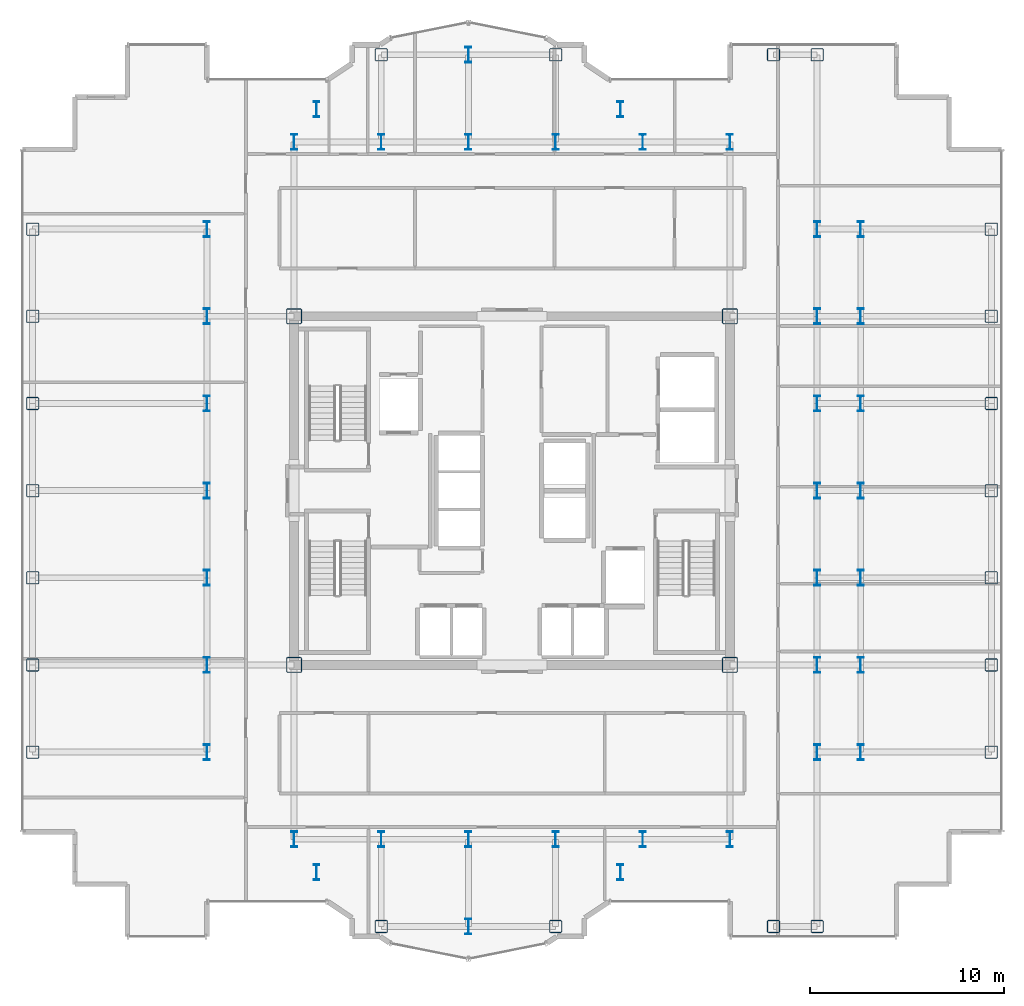
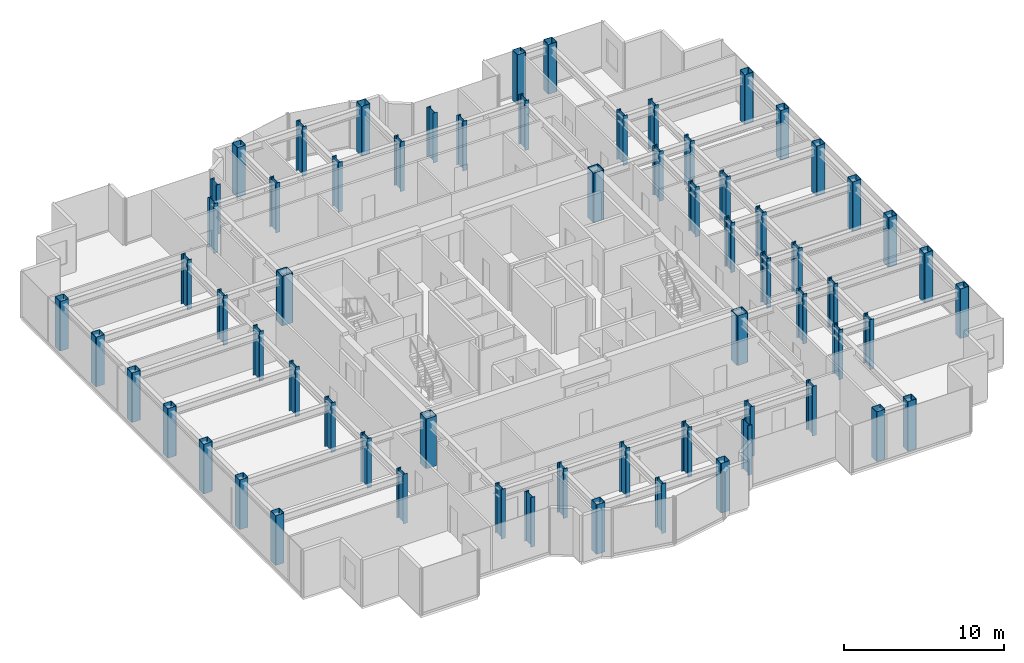
# One storey, part 1 of 20: 65 columns.
"""IFC4 building model written with IfcOpenShell, lengths in metres."""

import ifcopenshell
import ifcopenshell.guid

model = None  # the IFC model being written
_history = None  # IfcOwnerHistory: only IFC2X3 demands one
_inside = {}  # id of a spatial element -> (the spatial element, [elements in it])
_under = {}  # id of a project, library or spatial element -> (it, [spatial elements below it])
_declared = {}  # id of a project -> (the project, [libraries it declares])
_typed = {}  # id of a type object -> (the type object, [elements of that type])
_made_of = {}  # id of a material, layer set ... -> (it, [elements and type objects made of it])


def new_model(schema):
    """Start an empty IFC model of exactly this schema.

    Asked for "IFC4X3", IfcOpenShell would pick the latest addendum, in which some entities
    have other attributes; the version numbers below select the first issue.
    IFC2X3 requires an IfcOwnerHistory on every rooted entity: one is made here for all.
    """
    global model, _history
    if schema == "IFC4X3":
        model = ifcopenshell.file(schema_version=(4, 3, 0, 0))
    else:
        model = ifcopenshell.file(schema=schema)
    _inside.clear()
    _under.clear()
    _declared.clear()
    _typed.clear()
    _made_of.clear()
    _history = None
    if model.schema == "IFC2X3":
        org = make("IfcOrganization", Name="unknown")
        user = make(
            "IfcPersonAndOrganization",
            ThePerson=make("IfcPerson", FamilyName="unknown"),
            TheOrganization=org,
        )
        app = make(
            "IfcApplication",
            ApplicationDeveloper=org,
            Version="unknown",
            ApplicationFullName="unknown",
            ApplicationIdentifier="unknown",
        )
        _history = make(
            "IfcOwnerHistory",
            OwningUser=user,
            OwningApplication=app,
            ChangeAction="ADDED",
            CreationDate=0,
        )
    return model


def make(cls, **values):
    """One entity of the class cls with the attributes given. An attribute that is None is left unset."""
    return model.create_entity(
        cls, **{name: value for name, value in values.items() if value is not None}
    )


def rooted(cls, **values):
    """An entity with a GlobalId (a new one), such as an element, a storey or a relation."""
    return make(cls, GlobalId=ifcopenshell.guid.new(), OwnerHistory=_history, **values)


def si_unit(unit_type, name, prefix=None):
    """IfcSIUnit, for example si_unit("LENGTHUNIT", "METRE", prefix="MILLI")."""
    return make("IfcSIUnit", UnitType=unit_type, Prefix=prefix, Name=name)


def assignment(units):
    """IfcUnitAssignment: the units of a project."""
    return None if units is None else make("IfcUnitAssignment", Units=units)


def point(xyz):
    """IfcCartesianPoint."""
    return None if xyz is None else make("IfcCartesianPoint", Coordinates=xyz)


def direction(xyz):
    """IfcDirection."""
    return None if xyz is None else make("IfcDirection", DirectionRatios=xyz)


def frame(location, z_axis=None, x_axis=None):
    """IfcAxis2Placement3D, a coordinate frame: its origin and axes. An axis left out is left unset."""
    return make(
        "IfcAxis2Placement3D",
        Location=point(location),
        Axis=direction(z_axis),
        RefDirection=direction(x_axis),
    )


def frame_2d(location, x_axis=None):
    """IfcAxis2Placement2D, a coordinate frame in the plane: its origin and x axis."""
    return make(
        "IfcAxis2Placement2D", Location=point(location), RefDirection=direction(x_axis)
    )


def origin():
    """The frame at (0, 0, 0) with its axes left unset."""
    return frame((0.0, 0.0, 0.0))


def origin_2d():
    """The frame at (0, 0) in the plane with its x axis left unset."""
    return frame_2d((0.0, 0.0))


def place(relative_to, where):
    """IfcLocalPlacement: puts the frame where relative to a parent placement (None: the world)."""
    return make(
        "IfcLocalPlacement", PlacementRelTo=relative_to, RelativePlacement=where
    )


def context(
    kind, dimensions, precision=None, world=None, true_north=None, identifier=None
):
    """IfcGeometricRepresentationContext, for example the 3D "Model" context."""
    return make(
        "IfcGeometricRepresentationContext",
        ContextIdentifier=identifier,
        ContextType=kind,
        CoordinateSpaceDimension=dimensions,
        Precision=precision,
        WorldCoordinateSystem=world,
        TrueNorth=true_north,
    )


def subcontext(parent, identifier, kind, view, scale=None):
    """IfcGeometricRepresentationSubContext, for example "Body" below "Model"."""
    return make(
        "IfcGeometricRepresentationSubContext",
        ContextIdentifier=identifier,
        ContextType=kind,
        ParentContext=parent,
        TargetScale=scale,
        TargetView=view,
    )


def project(units=None, contexts=None):
    """IfcProject with its units and contexts."""
    return rooted(
        "IfcProject",
        Name="project",
        RepresentationContexts=contexts,
        UnitsInContext=assignment(units),
    )


def spatial(cls, under=None, at=None, **own):
    """A site, building, storey or space (cls), placed at a placement, below another one or the project."""
    s = rooted(cls, ObjectPlacement=at, **own)
    if under is not None:
        _under.setdefault(under.id(), (under, []))[1].append(s)
    return s


def profile(cls, at=None, kind="AREA", **sizes):
    """A parametric profile (cls). Its sizes go by their IFC names, for example OverallWidth=200.0."""
    return make(cls, ProfileType=kind, Position=at, **sizes)


def hollow_rectangle(**sizes):
    """IfcRectangleHollowProfileDef."""
    return profile("IfcRectangleHollowProfileDef", **sizes)


def i_section(**sizes):
    """IfcIShapeProfileDef."""
    return profile("IfcIShapeProfileDef", **sizes)


def extrude(swept, where, along, depth):
    """IfcExtrudedAreaSolid: the profile swept, set in the frame where, extruded along a direction by depth."""
    return make(
        "IfcExtrudedAreaSolid",
        SweptArea=swept,
        Position=where,
        ExtrudedDirection=direction(along),
        Depth=depth,
    )


def shape(context_of_items, identifier, shape_type, items):
    """IfcShapeRepresentation: the items that make up one representation, for example the "Body"."""
    return make(
        "IfcShapeRepresentation",
        ContextOfItems=context_of_items,
        RepresentationIdentifier=identifier,
        RepresentationType=shape_type,
        Items=items,
    )


def source(mapping_origin, context_of_items, identifier, shape_type, items):
    """IfcRepresentationMap: a shape defined once, which mapped items show again and again."""
    return make(
        "IfcRepresentationMap",
        MappingOrigin=mapping_origin,
        MappedRepresentation=shape(context_of_items, identifier, shape_type, items),
    )


def transform(
    local_origin,
    x_axis=None,
    y_axis=None,
    z_axis=None,
    scale=None,
    scale2=None,
    scale3=None,
    uniform=True,
):
    """IfcCartesianTransformationOperator3D, or its non-uniform kind. x_axis, y_axis, z_axis: its Axis1, 2, 3."""
    if uniform:
        return make(
            "IfcCartesianTransformationOperator3D",
            Axis1=direction(x_axis),
            Axis2=direction(y_axis),
            LocalOrigin=point(local_origin),
            Scale=scale,
            Axis3=direction(z_axis),
        )
    return make(
        "IfcCartesianTransformationOperator3DnonUniform",
        Axis1=direction(x_axis),
        Axis2=direction(y_axis),
        LocalOrigin=point(local_origin),
        Scale=scale,
        Axis3=direction(z_axis),
        Scale2=scale2,
        Scale3=scale3,
    )


def mapped(mapping_source, mapping_target):
    """IfcMappedItem: shows the shape of a source again, moved by a transform."""
    return make(
        "IfcMappedItem", MappingSource=mapping_source, MappingTarget=mapping_target
    )


def material(Name=None, Category=None):
    """IfcMaterial."""
    return make("IfcMaterial", Name=Name, Category=Category)


def material_profile(
    of_material, cross_section, Name=None, Category=None, Priority=None
):
    """IfcMaterialProfile: a cross section and its material."""
    return make(
        "IfcMaterialProfile",
        Name=Name,
        Material=of_material,
        Profile=cross_section,
        Priority=Priority,
        Category=Category,
    )


def profile_set(profiles, Name=None, composite=None):
    """IfcMaterialProfileSet."""
    return make(
        "IfcMaterialProfileSet",
        Name=Name,
        MaterialProfiles=profiles,
        CompositeProfile=composite,
    )


def made_of(thing, what):
    """Note that an element or type object is made of a material, layer set ...; save() writes the relation."""
    if what is not None:
        _made_of.setdefault(what.id(), (what, []))[1].append(thing)
    return thing


def type_object(cls, material=None, **own):
    """A type object (cls), such as IfcWallType, which elements share."""
    return made_of(rooted(cls, **own), material)


def element(
    cls,
    number,
    at=None,
    inside=None,
    cuts=None,
    type_object=None,
    material=None,
    context=None,
    identifier="Body",
    shape_type=None,
    held_by="IfcProductDefinitionShape",
    body=None,
    shapes=None,
    **own,
):
    """One element of the class cls, such as IfcWall. Its Tag is "e" and its number.

    at: its placement. inside: the storey or other place that contains it. cuts: it is an
    opening in that element (IfcRelVoidsElement). A single representation is given by context,
    identifier, shape_type and body (its items); several are given by shapes. held_by: the class
    of the entity that holds the representations. save() writes the other relations.
    """
    e = rooted(cls, Tag="e%d" % number, ObjectPlacement=at, **own)
    if body is not None:
        shapes = [shape(context, identifier, shape_type, body)]
    if shapes is not None:
        e.Representation = make(held_by, Representations=shapes)
    if inside is not None:
        _inside.setdefault(inside.id(), (inside, []))[1].append(e)
    if cuts is not None:
        rooted(
            "IfcRelVoidsElement", RelatingBuildingElement=cuts, RelatedOpeningElement=e
        )
    if type_object is not None:
        _typed.setdefault(type_object.id(), (type_object, []))[1].append(e)
    return made_of(e, material)


def aggregate(whole, parts):
    """IfcRelAggregates: a whole, such as a stair, and the parts it consists of."""
    return rooted("IfcRelAggregates", RelatingObject=whole, RelatedObjects=parts)


def save(model, path):
    """Write the relations noted so far, then the file.

    IfcRelAggregates (storeys below a building ...), IfcRelContainedInSpatialStructure (elements
    in a storey), IfcRelDefinesByType, IfcRelAssociatesMaterial and IfcRelDeclares: one each for
    every whole, place, type object, material and project.
    """
    for whole, parts in _under.values():
        aggregate(whole, parts)
    for where, things in _inside.values():
        rooted(
            "IfcRelContainedInSpatialStructure",
            RelatedElements=things,
            RelatingStructure=where,
        )
    for kind, things in _typed.values():
        rooted("IfcRelDefinesByType", RelatedObjects=things, RelatingType=kind)
    for what, things in _made_of.values():
        rooted("IfcRelAssociatesMaterial", RelatedObjects=things, RelatingMaterial=what)
    for by, libraries in _declared.values():
        rooted("IfcRelDeclares", RelatingContext=by, RelatedDefinitions=libraries)
    model.write(path)


model = new_model("IFC4")

# Units and contexts
model_context = context("Model", 3, precision=1e-05, world=origin(), true_north=direction((0.0, 1.0)))
body_context = subcontext(model_context, "Body", "Model", "MODEL_VIEW")
ifc_project = project(units=[si_unit("LENGTHUNIT", "METRE"), si_unit("AREAUNIT", "SQUARE_METRE"), si_unit("VOLUMEUNIT", "CUBIC_METRE"), si_unit("PLANEANGLEUNIT", "RADIAN"), si_unit("MASSUNIT", "GRAM", prefix="KILO")], contexts=[model_context])

# Site, building, storey
site_placement = place(None, origin())
site = spatial("IfcSite", under=ifc_project, at=site_placement, CompositionType="ELEMENT")
building_placement = place(site_placement, origin())
building = spatial("IfcBuilding", under=site, at=building_placement, Name="Nefas-Gora Pilgrimage Tower", CompositionType="ELEMENT")
storey_placement = place(building_placement, frame((0.0, 0.0, 244.60009765625)))
storey = spatial("IfcBuildingStorey", under=building, at=storey_placement, Name="L61", CompositionType="ELEMENT", Elevation=244.60009765625)

# Columns
ifc_material = material(Name="Steel S460", Category="steel")
ifc_material_profile_1 = material_profile(ifc_material, i_section(OverallWidth=0.302978515625, OverallDepth=0.81396484375, WebThickness=0.02099609375, FlangeThickness=0.0400390625, FilletRadius=0.030029296875, at=origin_2d()), Name="HEM 800")
ifc_profile_set_1 = profile_set([ifc_material_profile_1], Name="Steel S460")
column_type_1 = type_object("IfcColumnType", Name="COL-WEB-HEM800", PredefinedType="COLUMN", material=ifc_profile_set_1)
shared_shape_1 = source(origin(), body_context, "Body", "SweptSolid", [
    extrude(i_section(OverallWidth=0.302978515625, OverallDepth=0.81396484375, WebThickness=0.02099609375, FlangeThickness=0.0400390625, FilletRadius=0.030029296875, at=origin_2d()), origin(), (0.0, 0.0, 1.0), 3.7998046875),
])
for number, where, z_axis, x_axis, name in (
    (1, (-15.75, -13.5, 0.0), (0.0, 0.0, 1.0), (1.0, 0.0, 0.0), "L61 Tower Column CW-02.8"),
    (2, (-15.75, -9.0, 0.0), (0.0, 0.0, 1.0), (1.0, 0.0, 0.0), "L61 Tower Column CW-02.9"),
    (3, (-15.75, -4.5, 0.0), (0.0, 0.0, 1.0), (1.0, 0.0, 0.0), "L61 Tower Column CW-02.10"),
    (4, (-15.75, 0.0, 0.0), (0.0, 0.0, 1.0), (1.0, 0.0, 0.0), "L61 Tower Column CW-02.11"),
    (5, (-15.75, 4.5, 0.0), (0.0, 0.0, 1.0), (1.0, 0.0, 0.0), "L61 Tower Column CW-02.12"),
    (6, (-15.75, 9.0, 0.0), (0.0, 0.0, 1.0), (1.0, 0.0, 0.0), "L61 Tower Column CW-02.13"),
    (7, (-15.75, 13.5, 0.0), (0.0, 0.0, 1.0), (1.0, 0.0, 0.0), "L61 Tower Column CW-02.14"),
    (8, (-11.25, -18.0, 0.0), (0.0, 0.0, 1.0), (1.0, 0.0, 0.0), "L61 Tower Column CW-02.15"),
    (9, (-11.25, 18.0, 0.0), (0.0, 0.0, 1.0), (1.0, 0.0, 0.0), "L61 Tower Column CW-02.18"),
    (10, (-10.091064453125, -19.696044921875, 0.0), (0.0, 0.0, 1.0), (1.0, 0.0, 0.0), "L61 Tower Column CW-02.19"),
    (11, (-10.091064453125, 19.696044921875, 0.0), (0.0, 0.0, 1.0), (1.0, 0.0, 0.0), "L61 Tower Column CW-02.20"),
    (12, (-6.75, -18.0, 0.0), (0.0, 0.0, 1.0), (1.0, 0.0, 0.0), "L61 Tower Column CW-02.22"),
    (13, (-6.75, 18.0, 0.0), (0.0, 0.0, 1.0), (1.0, 0.0, 0.0), "L61 Tower Column CW-02.23"),
    (14, (-2.25, -22.5, 0.0), (0.0, 0.0, 1.0), (1.0, 0.0, 0.0), "L61 Tower Column CW-02.25"),
    (15, (-2.25, -18.0, 0.0), (0.0, 0.0, 1.0), (1.0, 0.0, 0.0), "L61 Tower Column CW-02.26"),
    (16, (-2.25, 18.0, 0.0), (0.0, 0.0, 1.0), (1.0, 0.0, 0.0), "L61 Tower Column CW-02.27"),
    (17, (-2.25, 22.5, 0.0), (0.0, 0.0, 1.0), (1.0, 0.0, 0.0), "L61 Tower Column CW-02.28"),
    (18, (2.25, -18.0, 0.0), (0.0, 0.0, 1.0), (1.0, 0.0, 0.0), "L61 Tower Column CW-02.30"),
    (19, (2.25, 18.0, 0.0), (0.0, 0.0, 1.0), (1.0, 0.0, 0.0), "L61 Tower Column CW-02.31"),
    (20, (5.591064453125, -19.696044921875, 0.0), (0.0, 0.0, 1.0), (1.0, 0.0, 0.0), "L61 Tower Column CW-02.33"),
    (21, (5.591064453125, 19.696044921875, 0.0), (0.0, 0.0, 1.0), (1.0, 0.0, 0.0), "L61 Tower Column CW-02.34"),
    (22, (6.75, -18.0, 0.0), (0.0, 0.0, 1.0), (1.0, 0.0, 0.0), "L61 Tower Column CW-02.35"),
    (23, (6.75, 18.0, 0.0), (0.0, 0.0, 1.0), (1.0, 0.0, 0.0), "L61 Tower Column CW-02.36"),
    (24, (11.25, -18.0, 0.0), (0.0, 0.0, 1.0), (1.0, 0.0, 0.0), "L61 Tower Column CW-02.37"),
    (25, (11.25, 18.0, 0.0), (0.0, 0.0, 1.0), (1.0, 0.0, 0.0), "L61 Tower Column CW-02.40"),
    (26, (15.75, -13.5, 0.0), (0.0, 0.0, 1.0), (1.0, 0.0, 0.0), "L61 Tower Column CW-02.44"),
    (27, (15.75, -9.0, 0.0), (0.0, 0.0, 1.0), (1.0, 0.0, 0.0), "L61 Tower Column CW-02.45"),
    (28, (15.75, -4.5, 0.0), (0.0, 0.0, 1.0), (1.0, 0.0, 0.0), "L61 Tower Column CW-02.46"),
    (29, (15.75, 0.0, 0.0), (0.0, 0.0, 1.0), (1.0, 0.0, 0.0), "L61 Tower Column CW-02.47"),
    (30, (15.75, 4.5, 0.0), (0.0, 0.0, 1.0), (1.0, 0.0, 0.0), "L61 Tower Column CW-02.48"),
    (31, (15.75, 9.0, 0.0), (0.0, 0.0, 1.0), (1.0, 0.0, 0.0), "L61 Tower Column CW-02.49"),
    (32, (15.75, 13.5, 0.0), (0.0, 0.0, 1.0), (1.0, 0.0, 0.0), "L61 Tower Column CW-02.50"),
    (33, (18.0, -13.5, 0.0), (0.0, 0.0, 1.0), (1.0, 0.0, 0.0), "L61 Tower Column CW-02.52"),
    (34, (18.0, -9.0, 0.0), (0.0, 0.0, 1.0), (1.0, 0.0, 0.0), "L61 Tower Column CW-02.53"),
    (35, (18.0, -4.5, 0.0), (0.0, 0.0, 1.0), (1.0, 0.0, 0.0), "L61 Tower Column CW-02.54"),
    (36, (18.0, 0.0, 0.0), (0.0, 0.0, 1.0), (1.0, 0.0, 0.0), "L61 Tower Column CW-02.55"),
    (37, (18.0, 4.5, 0.0), (0.0, 0.0, 1.0), (1.0, 0.0, 0.0), "L61 Tower Column CW-02.56"),
    (38, (18.0, 9.0, 0.0), (0.0, 0.0, 1.0), (1.0, 0.0, 0.0), "L61 Tower Column CW-02.57"),
    (39, (18.0, 13.5, 0.0), (0.0, 0.0, 1.0), (1.0, 0.0, 0.0), "L61 Tower Column CW-02.58"),
):
    element("IfcColumn", number, at=place(storey_placement, frame(where, z_axis=z_axis, x_axis=x_axis)), inside=storey, type_object=column_type_1, Name=name, PredefinedType="COLUMN", context=body_context, shape_type="MappedRepresentation", body=[
        mapped(shared_shape_1, transform((0.0, 0.0, 0.0), x_axis=(1.0, 0.0, 0.0), y_axis=(0.0, 1.0, 0.0), z_axis=(0.0, 0.0, 1.0), scale=1.0)),
    ])
ifc_material_profile_2 = material_profile(ifc_material, hollow_rectangle(XDim=0.800048828125, YDim=0.800048828125, WallThickness=0.0400390625, InnerFilletRadius=0.0400390625, OuterFilletRadius=0.080078125, at=origin_2d()), Name="BOX 800x800x40")
ifc_profile_set_2 = profile_set([ifc_material_profile_2], Name="Steel S460")
column_type_2 = type_object("IfcColumnType", Name="COL-CORE-800", PredefinedType="COLUMN", material=ifc_profile_set_2)
shared_shape_2 = source(origin(), body_context, "Body", "SweptSolid", [
    extrude(hollow_rectangle(XDim=0.800048828125, YDim=0.800048828125, WallThickness=0.0400390625, InnerFilletRadius=0.0400390625, OuterFilletRadius=0.080078125, at=origin_2d()), origin(), (0.0, 0.0, 1.0), 3.7998046875),
])
for number, where, z_axis, x_axis, name in (
    (40, (-11.25, -9.0, 0.0), (0.0, 0.0, 1.0), (1.0, 0.0, 0.0), "L61 Tower Column CC-Z2.16"),
    (41, (-11.25, 9.0, 0.0), (0.0, 0.0, 1.0), (1.0, 0.0, 0.0), "L61 Tower Column CC-Z2.17"),
    (42, (11.25, -9.0, 0.0), (0.0, 0.0, 1.0), (1.0, 0.0, 0.0), "L61 Tower Column CC-Z2.38"),
    (43, (11.25, 9.0, 0.0), (0.0, 0.0, 1.0), (1.0, 0.0, 0.0), "L61 Tower Column CC-Z2.39"),
):
    element("IfcColumn", number, at=place(storey_placement, frame(where, z_axis=z_axis, x_axis=x_axis)), inside=storey, type_object=column_type_2, Name=name, PredefinedType="COLUMN", context=body_context, shape_type="MappedRepresentation", body=[
        mapped(shared_shape_2, transform((0.0, 0.0, 0.0), x_axis=(1.0, 0.0, 0.0), y_axis=(0.0, 1.0, 0.0), z_axis=(0.0, 0.0, 1.0), scale=1.0)),
    ])
ifc_material_profile_3 = material_profile(ifc_material, hollow_rectangle(XDim=0.64990234375, YDim=0.64990234375, WallThickness=0.031982421875, InnerFilletRadius=0.031982421875, OuterFilletRadius=0.06396484375, at=origin_2d()), Name="BOX 650x650x32")
ifc_profile_set_3 = profile_set([ifc_material_profile_3], Name="Steel S460")
column_type_3 = type_object("IfcColumnType", Name="COL-TUBE-650", PredefinedType="COLUMN", material=ifc_profile_set_3)
shared_shape_3 = source(origin(), body_context, "Body", "SweptSolid", [
    extrude(hollow_rectangle(XDim=0.64990234375, YDim=0.64990234375, WallThickness=0.031982421875, InnerFilletRadius=0.031982421875, OuterFilletRadius=0.06396484375, at=origin_2d()), origin(), (0.0, 0.0, 1.0), 3.7998046875),
])
for number, where, z_axis, x_axis, name in (
    (44, (-24.75, -13.5, 0.0), (0.0, 0.0, 1.0), (1.0, 0.0, 0.0), "L61 Tower Column C-Z3.1"),
    (45, (-24.75, -9.0, 0.0), (0.0, 0.0, 1.0), (1.0, 0.0, 0.0), "L61 Tower Column C-Z3.2"),
    (46, (-24.75, -4.5, 0.0), (0.0, 0.0, 1.0), (1.0, 0.0, 0.0), "L61 Tower Column C-Z3.3"),
    (47, (-24.75, 0.0, 0.0), (0.0, 0.0, 1.0), (1.0, 0.0, 0.0), "L61 Tower Column C-Z3.4"),
    (48, (-24.75, 4.5, 0.0), (0.0, 0.0, 1.0), (1.0, 0.0, 0.0), "L61 Tower Column C-Z3.5"),
    (49, (-24.75, 9.0, 0.0), (0.0, 0.0, 1.0), (1.0, 0.0, 0.0), "L61 Tower Column C-Z3.6"),
    (50, (-24.75, 13.5, 0.0), (0.0, 0.0, 1.0), (1.0, 0.0, 0.0), "L61 Tower Column C-Z3.7"),
    (51, (-6.75, -22.5, 0.0), (0.0, 0.0, 1.0), (1.0, 0.0, 0.0), "L61 Tower Column C-Z3.21"),
    (52, (-6.75, 22.5, 0.0), (0.0, 0.0, 1.0), (1.0, 0.0, 0.0), "L61 Tower Column C-Z3.24"),
    (53, (2.25, -22.5, 0.0), (0.0, 0.0, 1.0), (1.0, 0.0, 0.0), "L61 Tower Column C-Z3.29"),
    (54, (2.25, 22.5, 0.0), (0.0, 0.0, 1.0), (1.0, 0.0, 0.0), "L61 Tower Column C-Z3.32"),
    (55, (13.5, -22.5, 0.0), (0.0, 0.0, 1.0), (1.0, 0.0, 0.0), "L61 Tower Column C-Z3.41"),
    (56, (13.5, 22.5, 0.0), (0.0, 0.0, 1.0), (1.0, 0.0, 0.0), "L61 Tower Column C-Z3.42"),
    (57, (15.75, -22.5, 0.0), (0.0, 0.0, 1.0), (1.0, 0.0, 0.0), "L61 Tower Column C-Z3.43"),
    (58, (15.75, 22.5, 0.0), (0.0, 0.0, 1.0), (1.0, 0.0, 0.0), "L61 Tower Column C-Z3.51"),
    (59, (24.75, -13.5, 0.0), (0.0, 0.0, 1.0), (1.0, 0.0, 0.0), "L61 Tower Column C-Z3.59"),
    (60, (24.75, -9.0, 0.0), (0.0, 0.0, 1.0), (1.0, 0.0, 0.0), "L61 Tower Column C-Z3.60"),
    (61, (24.75, -4.5, 0.0), (0.0, 0.0, 1.0), (1.0, 0.0, 0.0), "L61 Tower Column C-Z3.61"),
    (62, (24.75, 0.0, 0.0), (0.0, 0.0, 1.0), (1.0, 0.0, 0.0), "L61 Tower Column C-Z3.62"),
    (63, (24.75, 4.5, 0.0), (0.0, 0.0, 1.0), (1.0, 0.0, 0.0), "L61 Tower Column C-Z3.63"),
    (64, (24.75, 9.0, 0.0), (0.0, 0.0, 1.0), (1.0, 0.0, 0.0), "L61 Tower Column C-Z3.64"),
    (65, (24.75, 13.5, 0.0), (0.0, 0.0, 1.0), (1.0, 0.0, 0.0), "L61 Tower Column C-Z3.65"),
):
    element("IfcColumn", number, at=place(storey_placement, frame(where, z_axis=z_axis, x_axis=x_axis)), inside=storey, type_object=column_type_3, Name=name, PredefinedType="COLUMN", context=body_context, shape_type="MappedRepresentation", body=[
        mapped(shared_shape_3, transform((0.0, 0.0, 0.0), x_axis=(1.0, 0.0, 0.0), y_axis=(0.0, 1.0, 0.0), z_axis=(0.0, 0.0, 1.0), scale=1.0)),
    ])

save(model, "model.ifc")
